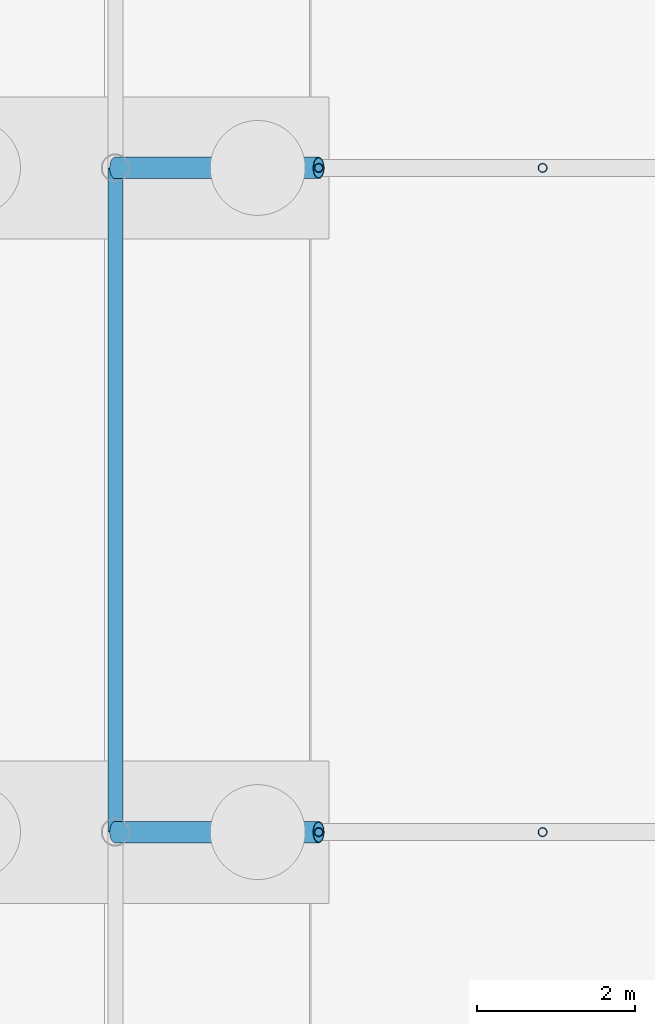
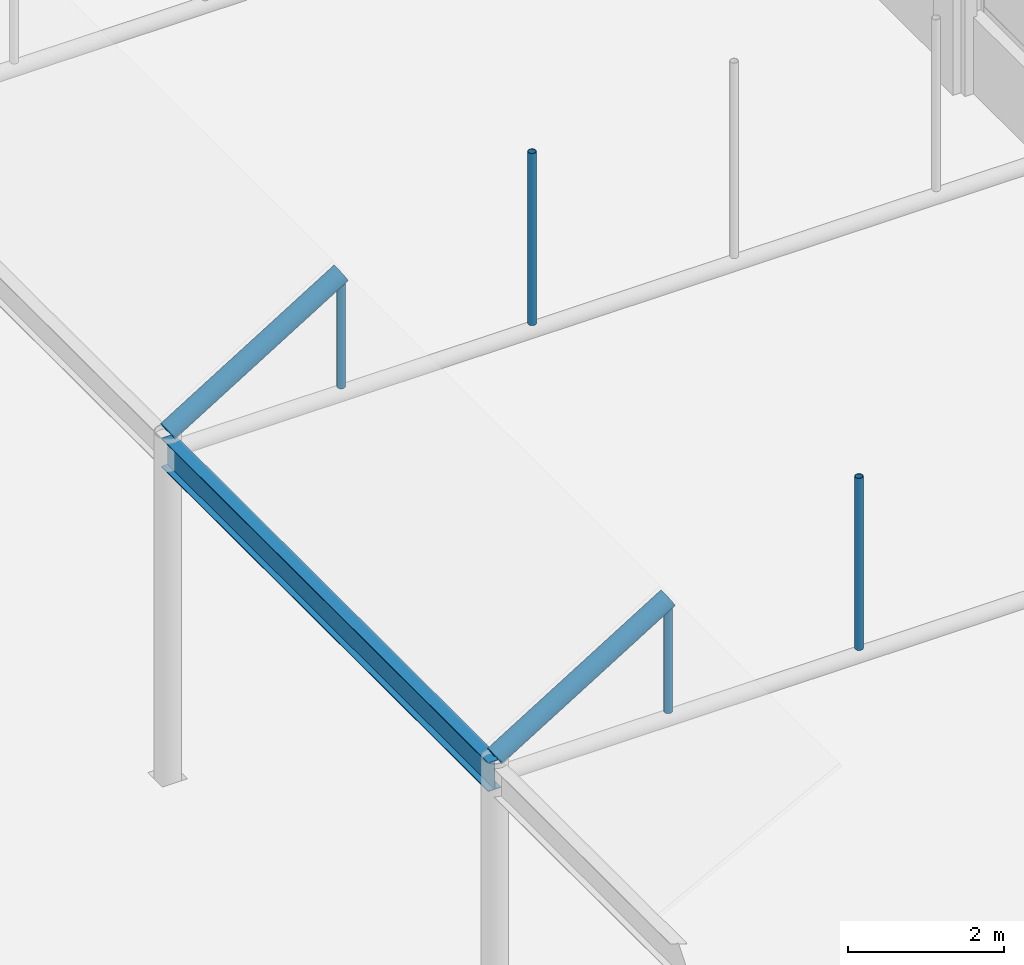
# One storey, part 141 of 212: 6 members, 1 beam.
"""IFC4 building model written with IfcOpenShell, lengths in metres."""

import ifcopenshell
import ifcopenshell.guid

model = None  # the IFC model being written
_history = None  # IfcOwnerHistory: only IFC2X3 demands one
_inside = {}  # id of a spatial element -> (the spatial element, [elements in it])
_under = {}  # id of a project, library or spatial element -> (it, [spatial elements below it])
_declared = {}  # id of a project -> (the project, [libraries it declares])
_typed = {}  # id of a type object -> (the type object, [elements of that type])
_made_of = {}  # id of a material, layer set ... -> (it, [elements and type objects made of it])


def new_model(schema):
    """Start an empty IFC model of exactly this schema.

    Asked for "IFC4X3", IfcOpenShell would pick the latest addendum, in which some entities
    have other attributes; the version numbers below select the first issue.
    IFC2X3 requires an IfcOwnerHistory on every rooted entity: one is made here for all.
    """
    global model, _history
    if schema == "IFC4X3":
        model = ifcopenshell.file(schema_version=(4, 3, 0, 0))
    else:
        model = ifcopenshell.file(schema=schema)
    _inside.clear()
    _under.clear()
    _declared.clear()
    _typed.clear()
    _made_of.clear()
    _history = None
    if model.schema == "IFC2X3":
        org = make("IfcOrganization", Name="unknown")
        user = make(
            "IfcPersonAndOrganization",
            ThePerson=make("IfcPerson", FamilyName="unknown"),
            TheOrganization=org,
        )
        app = make(
            "IfcApplication",
            ApplicationDeveloper=org,
            Version="unknown",
            ApplicationFullName="unknown",
            ApplicationIdentifier="unknown",
        )
        _history = make(
            "IfcOwnerHistory",
            OwningUser=user,
            OwningApplication=app,
            ChangeAction="ADDED",
            CreationDate=0,
        )
    return model


def make(cls, **values):
    """One entity of the class cls with the attributes given. An attribute that is None is left unset."""
    return model.create_entity(
        cls, **{name: value for name, value in values.items() if value is not None}
    )


def rooted(cls, **values):
    """An entity with a GlobalId (a new one), such as an element, a storey or a relation."""
    return make(cls, GlobalId=ifcopenshell.guid.new(), OwnerHistory=_history, **values)


def si_unit(unit_type, name, prefix=None):
    """IfcSIUnit, for example si_unit("LENGTHUNIT", "METRE", prefix="MILLI")."""
    return make("IfcSIUnit", UnitType=unit_type, Prefix=prefix, Name=name)


def assignment(units):
    """IfcUnitAssignment: the units of a project."""
    return None if units is None else make("IfcUnitAssignment", Units=units)


def point(xyz):
    """IfcCartesianPoint."""
    return None if xyz is None else make("IfcCartesianPoint", Coordinates=xyz)


def direction(xyz):
    """IfcDirection."""
    return None if xyz is None else make("IfcDirection", DirectionRatios=xyz)


def frame(location, z_axis=None, x_axis=None):
    """IfcAxis2Placement3D, a coordinate frame: its origin and axes. An axis left out is left unset."""
    return make(
        "IfcAxis2Placement3D",
        Location=point(location),
        Axis=direction(z_axis),
        RefDirection=direction(x_axis),
    )


def frame_2d(location, x_axis=None):
    """IfcAxis2Placement2D, a coordinate frame in the plane: its origin and x axis."""
    return make(
        "IfcAxis2Placement2D", Location=point(location), RefDirection=direction(x_axis)
    )


def origin():
    """The frame at (0, 0, 0) with its axes left unset."""
    return frame((0.0, 0.0, 0.0))


def origin_2d():
    """The frame at (0, 0) in the plane with its x axis left unset."""
    return frame_2d((0.0, 0.0))


def place(relative_to, where):
    """IfcLocalPlacement: puts the frame where relative to a parent placement (None: the world)."""
    return make(
        "IfcLocalPlacement", PlacementRelTo=relative_to, RelativePlacement=where
    )


def context(
    kind, dimensions, precision=None, world=None, true_north=None, identifier=None
):
    """IfcGeometricRepresentationContext, for example the 3D "Model" context."""
    return make(
        "IfcGeometricRepresentationContext",
        ContextIdentifier=identifier,
        ContextType=kind,
        CoordinateSpaceDimension=dimensions,
        Precision=precision,
        WorldCoordinateSystem=world,
        TrueNorth=true_north,
    )


def subcontext(parent, identifier, kind, view, scale=None):
    """IfcGeometricRepresentationSubContext, for example "Body" below "Model"."""
    return make(
        "IfcGeometricRepresentationSubContext",
        ContextIdentifier=identifier,
        ContextType=kind,
        ParentContext=parent,
        TargetScale=scale,
        TargetView=view,
    )


def project(units=None, contexts=None):
    """IfcProject with its units and contexts."""
    return rooted(
        "IfcProject",
        Name="project",
        RepresentationContexts=contexts,
        UnitsInContext=assignment(units),
    )


def spatial(cls, under=None, at=None, **own):
    """A site, building, storey or space (cls), placed at a placement, below another one or the project."""
    s = rooted(cls, ObjectPlacement=at, **own)
    if under is not None:
        _under.setdefault(under.id(), (under, []))[1].append(s)
    return s


def profile(cls, at=None, kind="AREA", **sizes):
    """A parametric profile (cls). Its sizes go by their IFC names, for example OverallWidth=200.0."""
    return make(cls, ProfileType=kind, Position=at, **sizes)


def hollow_circle(**sizes):
    """IfcCircleHollowProfileDef."""
    return profile("IfcCircleHollowProfileDef", **sizes)


def i_section(**sizes):
    """IfcIShapeProfileDef."""
    return profile("IfcIShapeProfileDef", **sizes)


def extrude(swept, where, along, depth):
    """IfcExtrudedAreaSolid: the profile swept, set in the frame where, extruded along a direction by depth."""
    return make(
        "IfcExtrudedAreaSolid",
        SweptArea=swept,
        Position=where,
        ExtrudedDirection=direction(along),
        Depth=depth,
    )


def shape(context_of_items, identifier, shape_type, items):
    """IfcShapeRepresentation: the items that make up one representation, for example the "Body"."""
    return make(
        "IfcShapeRepresentation",
        ContextOfItems=context_of_items,
        RepresentationIdentifier=identifier,
        RepresentationType=shape_type,
        Items=items,
    )


def material(Name=None, Category=None):
    """IfcMaterial."""
    return make("IfcMaterial", Name=Name, Category=Category)


def material_profile(
    of_material, cross_section, Name=None, Category=None, Priority=None
):
    """IfcMaterialProfile: a cross section and its material."""
    return make(
        "IfcMaterialProfile",
        Name=Name,
        Material=of_material,
        Profile=cross_section,
        Priority=Priority,
        Category=Category,
    )


def profile_set(profiles, Name=None, composite=None):
    """IfcMaterialProfileSet."""
    return make(
        "IfcMaterialProfileSet",
        Name=Name,
        MaterialProfiles=profiles,
        CompositeProfile=composite,
    )


def made_of(thing, what):
    """Note that an element or type object is made of a material, layer set ...; save() writes the relation."""
    if what is not None:
        _made_of.setdefault(what.id(), (what, []))[1].append(thing)
    return thing


def type_object(cls, material=None, **own):
    """A type object (cls), such as IfcWallType, which elements share."""
    return made_of(rooted(cls, **own), material)


def element(
    cls,
    number,
    at=None,
    inside=None,
    cuts=None,
    type_object=None,
    material=None,
    context=None,
    identifier="Body",
    shape_type=None,
    held_by="IfcProductDefinitionShape",
    body=None,
    shapes=None,
    **own,
):
    """One element of the class cls, such as IfcWall. Its Tag is "e" and its number.

    at: its placement. inside: the storey or other place that contains it. cuts: it is an
    opening in that element (IfcRelVoidsElement). A single representation is given by context,
    identifier, shape_type and body (its items); several are given by shapes. held_by: the class
    of the entity that holds the representations. save() writes the other relations.
    """
    e = rooted(cls, Tag="e%d" % number, ObjectPlacement=at, **own)
    if body is not None:
        shapes = [shape(context, identifier, shape_type, body)]
    if shapes is not None:
        e.Representation = make(held_by, Representations=shapes)
    if inside is not None:
        _inside.setdefault(inside.id(), (inside, []))[1].append(e)
    if cuts is not None:
        rooted(
            "IfcRelVoidsElement", RelatingBuildingElement=cuts, RelatedOpeningElement=e
        )
    if type_object is not None:
        _typed.setdefault(type_object.id(), (type_object, []))[1].append(e)
    return made_of(e, material)


def aggregate(whole, parts):
    """IfcRelAggregates: a whole, such as a stair, and the parts it consists of."""
    return rooted("IfcRelAggregates", RelatingObject=whole, RelatedObjects=parts)


def save(model, path):
    """Write the relations noted so far, then the file.

    IfcRelAggregates (storeys below a building ...), IfcRelContainedInSpatialStructure (elements
    in a storey), IfcRelDefinesByType, IfcRelAssociatesMaterial and IfcRelDeclares: one each for
    every whole, place, type object, material and project.
    """
    for whole, parts in _under.values():
        aggregate(whole, parts)
    for where, things in _inside.values():
        rooted(
            "IfcRelContainedInSpatialStructure",
            RelatedElements=things,
            RelatingStructure=where,
        )
    for kind, things in _typed.values():
        rooted("IfcRelDefinesByType", RelatedObjects=things, RelatingType=kind)
    for what, things in _made_of.values():
        rooted("IfcRelAssociatesMaterial", RelatedObjects=things, RelatingMaterial=what)
    for by, libraries in _declared.values():
        rooted("IfcRelDeclares", RelatingContext=by, RelatedDefinitions=libraries)
    model.write(path)


model = new_model("IFC4")

# Units and contexts
model_context = context("Model", 3, precision=1e-05, world=origin(), true_north=direction((0.0, 1.0)))
body_context = subcontext(model_context, "Body", "Model", "MODEL_VIEW")
ifc_project = project(units=[si_unit("LENGTHUNIT", "METRE"), si_unit("AREAUNIT", "SQUARE_METRE"), si_unit("VOLUMEUNIT", "CUBIC_METRE"), si_unit("PLANEANGLEUNIT", "RADIAN"), si_unit("MASSUNIT", "GRAM", prefix="KILO")], contexts=[model_context])

# Site, building, storey
site_placement = place(None, origin())
site = spatial("IfcSite", under=ifc_project, at=site_placement, CompositionType="ELEMENT")
building_placement = place(site_placement, origin())
building = spatial("IfcBuilding", under=site, at=building_placement, Name="Catenary Quay Ferry Terminal", CompositionType="ELEMENT")
storey_placement = place(building_placement, origin())
storey = spatial("IfcBuildingStorey", under=building, at=storey_placement, Name="L00", CompositionType="ELEMENT", Elevation=0.0)

# Beam
ifc_material_1 = material(Name="Steel S355", Category="steel")
ifc_material_profile_1 = material_profile(ifc_material_1, i_section(OverallWidth=0.18994140625, OverallDepth=0.453369140625, WebThickness=0.008544921875, FlangeThickness=0.0126953125, at=origin_2d()), Name="UB 457x191x67")
ifc_profile_set_1 = profile_set([ifc_material_profile_1], Name="Steel S355")
beam_type = type_object("IfcBeamType", Name="B1 UB 457x191x67", PredefinedType="BEAM", material=ifc_profile_set_1)
beam_placement = place(storey_placement, frame((8.39990234375, 159.60009765625, 5.10009765625), z_axis=(0.0, 1.0, 0.0), x_axis=(-1.0, 0.0, 0.0)))
element("IfcBeam", 1, at=beam_placement, inside=storey, type_object=beam_type, Name="Eaves beam B-FB12", PredefinedType="BEAM", context=body_context, shape_type="SweptSolid", body=[
    extrude(i_section(OverallWidth=0.18994140625, OverallDepth=0.453369140625, WebThickness=0.008544921875, FlangeThickness=0.0126953125, at=origin_2d()), origin(), (0.0, 0.0, 1.0), 8.39990234375),
])

# Members
ifc_material_2 = material(Name="Steel S355", Category="steel")
ifc_material_profile_2 = material_profile(ifc_material_2, hollow_circle(Radius=0.05712890625, WallThickness=0.00634765625, at=origin_2d()), Name="CHS 114.3x6.3")
ifc_profile_set_2 = profile_set([ifc_material_profile_2], Name="Steel S355")
member_type_1 = type_object("IfcMemberType", Name="HG1 CHS 114.3x6.3", PredefinedType="POST", material=ifc_profile_set_2)
member_1_placement = place(storey_placement, frame((10.970947265625, 159.60009765625, 5.205078125), z_axis=(0.0, 0.0, 1.0), x_axis=(1.0, 0.0, 0.0)))
element("IfcMember", 2, at=member_1_placement, inside=storey, type_object=member_type_1, Name="Hanger FC-12-01", PredefinedType="POST", context=body_context, shape_type="SweptSolid", body=[
    extrude(hollow_circle(Radius=0.05712890625, WallThickness=0.00634765625, at=origin_2d()), origin(), (0.0, 0.0, 1.0), 1.64892578125),
])
member_2_placement = place(storey_placement, frame((13.802978515625, 159.60009765625, 5.205078125), z_axis=(0.0, 0.0, 1.0), x_axis=(1.0, 0.0, 0.0)))
element("IfcMember", 3, at=member_2_placement, inside=storey, type_object=member_type_1, Name="Hanger FC-12-02", PredefinedType="POST", context=body_context, shape_type="SweptSolid", body=[
    extrude(hollow_circle(Radius=0.05712890625, WallThickness=0.00634765625, at=origin_2d()), origin(), (0.0, 0.0, 1.0), 2.69580078125),
])
member_3_placement = place(storey_placement, frame((10.970947265625, 168.0, 5.205078125), z_axis=(0.0, 0.0, 1.0), x_axis=(1.0, 0.0, 0.0)))
element("IfcMember", 4, at=member_3_placement, inside=storey, type_object=member_type_1, Name="Hanger FC-13-01", PredefinedType="POST", context=body_context, shape_type="SweptSolid", body=[
    extrude(hollow_circle(Radius=0.05712890625, WallThickness=0.00634765625, at=origin_2d()), origin(), (0.0, 0.0, 1.0), 1.64892578125),
])
member_4_placement = place(storey_placement, frame((13.802978515625, 168.0, 5.205078125), z_axis=(0.0, 0.0, 1.0), x_axis=(1.0, 0.0, 0.0)))
element("IfcMember", 5, at=member_4_placement, inside=storey, type_object=member_type_1, Name="Hanger FC-13-02", PredefinedType="POST", context=body_context, shape_type="SweptSolid", body=[
    extrude(hollow_circle(Radius=0.05712890625, WallThickness=0.00634765625, at=origin_2d()), origin(), (0.0, 0.0, 1.0), 2.69580078125),
])
ifc_material_3 = material(Name="Steel S355", Category="steel")
ifc_material_profile_3 = material_profile(ifc_material_3, hollow_circle(Radius=0.136474609375, WallThickness=0.012451171875, at=origin_2d()), Name="CHS 273x12.5")
ifc_profile_set_3 = profile_set([ifc_material_profile_3], Name="Steel S355")
member_type_2 = type_object("IfcMemberType", Name="VR2 CHS 273x12.5", PredefinedType="RAFTER", material=ifc_profile_set_3)
for number, where, z_axis, x_axis, name in (
    (6, (8.39990234375, 159.60009765625, 5.39990234375), (0.851391726314, 0.0, 0.524530388408), (0.0, 1.0, 0.0), "rib FC-12-01"),
    (7, (8.39990234375, 168.0, 5.39990234375), (0.851391726314, 0.0, 0.524530388408), (0.0, 1.0, 0.0), "rib FC-13-01"),
):
    element("IfcMember", number, at=place(storey_placement, frame(where, z_axis=z_axis, x_axis=x_axis)), inside=storey, type_object=member_type_2, Name=name, PredefinedType="RAFTER", context=body_context, shape_type="SweptSolid", body=[
        extrude(hollow_circle(Radius=0.136474609375, WallThickness=0.012451171875, at=origin_2d()), origin(), (0.0, 0.0, 1.0), 3.019775390625),
    ])

save(model, "model.ifc")
